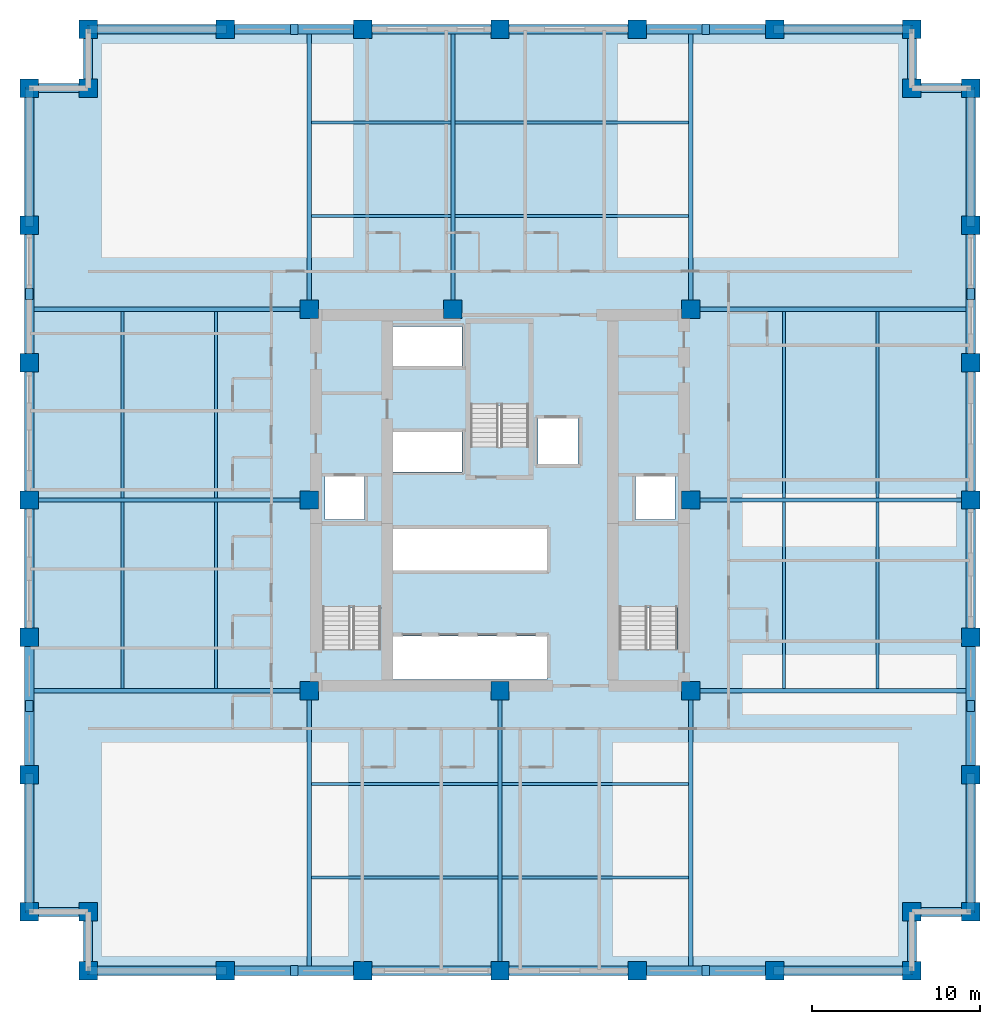
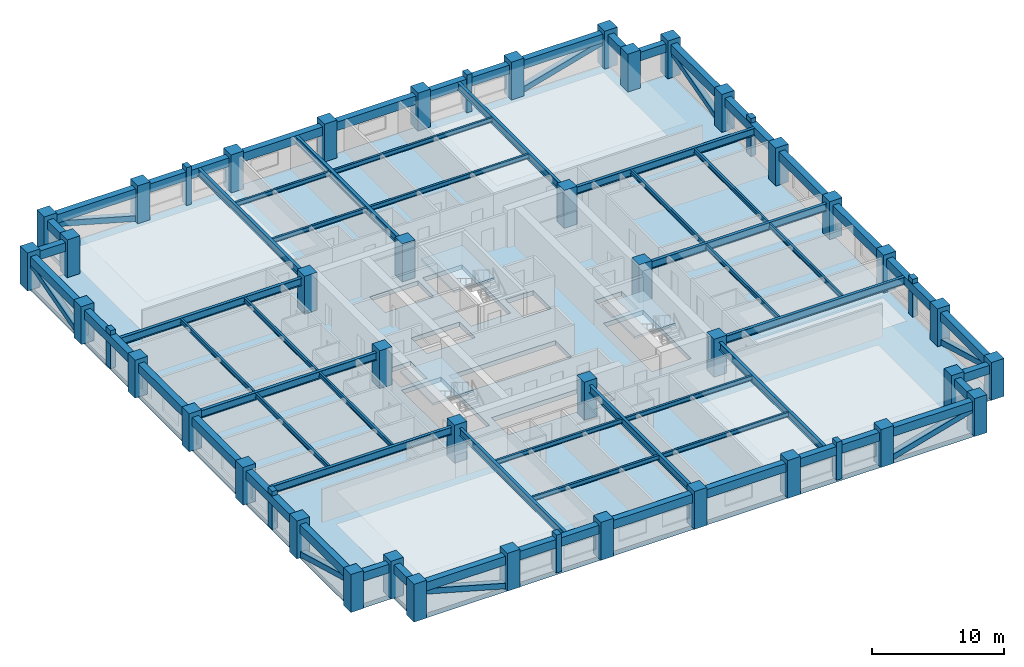
# One storey, part 1 of 12: 60 beams, 40 columns, 16 members, 4 slabs, 3 elements without a shape of their own.
"""IFC4 building model written with IfcOpenShell, lengths in metres."""

from ifc_helpers import new_model, si_unit, direction, frame, origin, origin_2d, place, context, subcontext, project, spatial, polyline, rectangle, hollow_rectangle, i_section, outline, extrude, material, layer, layer_set, material_profile, profile_set, type_object, element, aggregate, save


model = new_model("IFC4")

# Units and contexts
model_context = context("Model", 3, precision=1e-05, world=origin(), true_north=direction((0.0, 1.0)))
body_context = subcontext(model_context, "Body", "Model", "MODEL_VIEW")
ifc_project = project(units=[si_unit("LENGTHUNIT", "METRE"), si_unit("AREAUNIT", "SQUARE_METRE"), si_unit("VOLUMEUNIT", "CUBIC_METRE"), si_unit("PLANEANGLEUNIT", "RADIAN"), si_unit("MASSUNIT", "GRAM", prefix="KILO")], contexts=[model_context])

# Site, building, storey
site_placement = place(None, origin())
site = spatial("IfcSite", under=ifc_project, at=site_placement, CompositionType="ELEMENT")
building_placement = place(site_placement, origin())
building = spatial("IfcBuilding", under=site, at=building_placement, Name="Nhamokura Convention Tower", CompositionType="ELEMENT")
storey_placement = place(building_placement, frame((0.0, 0.0, 38.85009765625)))
storey = spatial("IfcBuildingStorey", under=building, at=storey_placement, Name="L07", CompositionType="ELEMENT", Elevation=38.85009765625)

# Columns
ifc_material_1 = material(Name="Concrete C60/75", Category="concrete")
ifc_material_profile_1 = material_profile(ifc_material_1, rectangle(XDim=1.10009765625, YDim=1.10009765625, at=origin_2d()))
ifc_profile_set_1 = profile_set([ifc_material_profile_1], Name="Concrete C60/75")
column_type = type_object("IfcColumnType", Name="TubeColumn_Z1_1100", PredefinedType="COLUMN", material=ifc_profile_set_1)
for number, where, z_axis, x_axis, name in (
    (1, (20.64990234375, 20.64990234375, 0.0), (0.0, 0.0, 1.0), (1.0, 0.0, 0.0), "L07 Core Column CC-SW"),
    (2, (32.0, 20.64990234375, 0.0), (0.0, 0.0, 1.0), (1.0, 0.0, 0.0), "L07 Core Column CC-S"),
    (3, (43.35009765625, 20.64990234375, 0.0), (0.0, 0.0, 1.0), (1.0, 0.0, 0.0), "L07 Core Column CC-SE"),
    (4, (43.35009765625, 32.0, 0.0), (0.0, 0.0, 1.0), (1.0, 0.0, 0.0), "L07 Core Column CC-E"),
    (5, (43.35009765625, 43.35009765625, 0.0), (0.0, 0.0, 1.0), (1.0, 0.0, 0.0), "L07 Core Column CC-NE"),
    (6, (29.199951171875, 43.35009765625, 0.0), (0.0, 0.0, 1.0), (1.0, 0.0, 0.0), "L07 Core Column CC-N"),
    (7, (20.64990234375, 43.35009765625, 0.0), (0.0, 0.0, 1.0), (1.0, 0.0, 0.0), "L07 Core Column CC-NW"),
    (8, (20.64990234375, 32.0, 0.0), (0.0, 0.0, 1.0), (1.0, 0.0, 0.0), "L07 Core Column CC-W"),
    (9, (7.5, 4.0, 0.0), (0.0, 0.0, 1.0), (1.0, 0.0, 0.0), "L07 Perimeter Tube Column SW1"),
    (10, (7.5, 7.5, 0.0), (0.0, 0.0, 1.0), (1.0, 0.0, 0.0), "L07 Perimeter Tube Column SW0"),
    (11, (4.0, 7.5, 0.0), (0.0, 0.0, 1.0), (1.0, 0.0, 0.0), "L07 Perimeter Tube Column SW2"),
    (12, (56.5, 4.0, 0.0), (0.0, 0.0, 1.0), (1.0, 0.0, 0.0), "L07 Perimeter Tube Column SE1"),
    (13, (56.5, 7.5, 0.0), (0.0, 0.0, 1.0), (1.0, 0.0, 0.0), "L07 Perimeter Tube Column SE0"),
    (14, (60.0, 7.5, 0.0), (0.0, 0.0, 1.0), (1.0, 0.0, 0.0), "L07 Perimeter Tube Column SE2"),
    (15, (60.0, 56.5, 0.0), (0.0, 0.0, 1.0), (1.0, 0.0, 0.0), "L07 Perimeter Tube Column NE1"),
    (16, (56.5, 56.5, 0.0), (0.0, 0.0, 1.0), (1.0, 0.0, 0.0), "L07 Perimeter Tube Column NE0"),
    (17, (56.5, 60.0, 0.0), (0.0, 0.0, 1.0), (1.0, 0.0, 0.0), "L07 Perimeter Tube Column NE2"),
    (18, (7.5, 60.0, 0.0), (0.0, 0.0, 1.0), (1.0, 0.0, 0.0), "L07 Perimeter Tube Column NW1"),
    (19, (7.5, 56.5, 0.0), (0.0, 0.0, 1.0), (1.0, 0.0, 0.0), "L07 Perimeter Tube Column NW0"),
    (20, (4.0, 56.5, 0.0), (0.0, 0.0, 1.0), (1.0, 0.0, 0.0), "L07 Perimeter Tube Column NW2"),
    (21, (15.666748046875, 4.0, 0.0), (0.0, 0.0, 1.0), (1.0, 0.0, 0.0), "L07 Perimeter Tube Column S1"),
    (22, (15.666748046875, 60.0, 0.0), (0.0, 0.0, 1.0), (1.0, 0.0, 0.0), "L07 Perimeter Tube Column N1"),
    (23, (4.0, 15.666748046875, 0.0), (0.0, 0.0, 1.0), (1.0, 0.0, 0.0), "L07 Perimeter Tube Column W1"),
    (24, (60.0, 15.666748046875, 0.0), (0.0, 0.0, 1.0), (1.0, 0.0, 0.0), "L07 Perimeter Tube Column E1"),
    (25, (23.833251953125, 4.0, 0.0), (0.0, 0.0, 1.0), (1.0, 0.0, 0.0), "L07 Perimeter Tube Column S2"),
    (26, (23.833251953125, 60.0, 0.0), (0.0, 0.0, 1.0), (1.0, 0.0, 0.0), "L07 Perimeter Tube Column N2"),
    (27, (4.0, 23.833251953125, 0.0), (0.0, 0.0, 1.0), (1.0, 0.0, 0.0), "L07 Perimeter Tube Column W2"),
    (28, (60.0, 23.833251953125, 0.0), (0.0, 0.0, 1.0), (1.0, 0.0, 0.0), "L07 Perimeter Tube Column E2"),
    (29, (32.0, 4.0, 0.0), (0.0, 0.0, 1.0), (1.0, 0.0, 0.0), "L07 Perimeter Tube Column S3"),
    (30, (32.0, 60.0, 0.0), (0.0, 0.0, 1.0), (1.0, 0.0, 0.0), "L07 Perimeter Tube Column N3"),
    (31, (4.0, 32.0, 0.0), (0.0, 0.0, 1.0), (1.0, 0.0, 0.0), "L07 Perimeter Tube Column W3"),
    (32, (60.0, 32.0, 0.0), (0.0, 0.0, 1.0), (1.0, 0.0, 0.0), "L07 Perimeter Tube Column E3"),
    (33, (40.166748046875, 4.0, 0.0), (0.0, 0.0, 1.0), (1.0, 0.0, 0.0), "L07 Perimeter Tube Column S4"),
    (34, (40.166748046875, 60.0, 0.0), (0.0, 0.0, 1.0), (1.0, 0.0, 0.0), "L07 Perimeter Tube Column N4"),
    (35, (4.0, 40.166748046875, 0.0), (0.0, 0.0, 1.0), (1.0, 0.0, 0.0), "L07 Perimeter Tube Column W4"),
    (36, (60.0, 40.166748046875, 0.0), (0.0, 0.0, 1.0), (1.0, 0.0, 0.0), "L07 Perimeter Tube Column E4"),
    (37, (48.333251953125, 4.0, 0.0), (0.0, 0.0, 1.0), (1.0, 0.0, 0.0), "L07 Perimeter Tube Column S5"),
    (38, (48.333251953125, 60.0, 0.0), (0.0, 0.0, 1.0), (1.0, 0.0, 0.0), "L07 Perimeter Tube Column N5"),
    (39, (4.0, 48.333251953125, 0.0), (0.0, 0.0, 1.0), (1.0, 0.0, 0.0), "L07 Perimeter Tube Column W5"),
    (40, (60.0, 48.333251953125, 0.0), (0.0, 0.0, 1.0), (1.0, 0.0, 0.0), "L07 Perimeter Tube Column E5"),
):
    element("IfcColumn", number, at=place(storey_placement, frame(where, z_axis=z_axis, x_axis=x_axis)), inside=storey, type_object=column_type, Name=name, PredefinedType="COLUMN", context=body_context, shape_type="SweptSolid", body=[
        extrude(rectangle(XDim=1.10009765625, YDim=1.10009765625, at=origin_2d()), origin(), (0.0, 0.0, 1.0), 3.5),
    ])

# Members
ifc_material_2 = material(Name="Bronze-pigmented precast concrete C45/55", Category="concrete")
ifc_material_profile_2 = material_profile(ifc_material_2, rectangle(XDim=0.449951171875, YDim=0.64990234375, at=origin_2d()))
ifc_profile_set_2 = profile_set([ifc_material_profile_2], Name="Bronze-pigmented precast concrete C45/55")
member_type_1 = type_object("IfcMemberType", Name="BronzePilaster_650", PredefinedType="USERDEFINED", material=ifc_profile_set_2)
for number, where, z_axis, x_axis, name in (
    (41, (19.75, 4.0, 0.0), (0.0, 0.0, 1.0), (1.0, 0.0, 0.0), "L07 Engaged Frame Pilaster SOUTH 1"),
    (42, (44.25, 4.0, 0.0), (0.0, 0.0, 1.0), (1.0, 0.0, 0.0), "L07 Engaged Frame Pilaster SOUTH 4"),
    (43, (19.75, 60.0, 0.0), (0.0, 0.0, 1.0), (1.0, 0.0, 0.0), "L07 Engaged Frame Pilaster NORTH 1"),
    (44, (44.25, 60.0, 0.0), (0.0, 0.0, 1.0), (1.0, 0.0, 0.0), "L07 Engaged Frame Pilaster NORTH 4"),
    (45, (4.0, 19.75, 0.0), (0.0, 0.0, 1.0), (1.0, 0.0, 0.0), "L07 Engaged Frame Pilaster WEST 1"),
    (46, (4.0, 44.25, 0.0), (0.0, 0.0, 1.0), (1.0, 0.0, 0.0), "L07 Engaged Frame Pilaster WEST 4"),
    (47, (60.0, 19.75, 0.0), (0.0, 0.0, 1.0), (1.0, 0.0, 0.0), "L07 Engaged Frame Pilaster EAST 1"),
    (48, (60.0, 44.25, 0.0), (0.0, 0.0, 1.0), (1.0, 0.0, 0.0), "L07 Engaged Frame Pilaster EAST 4"),
):
    element("IfcMember", number, at=place(storey_placement, frame(where, z_axis=z_axis, x_axis=x_axis)), inside=storey, type_object=member_type_1, Name=name, ObjectType="PILASTER_TRIM", PredefinedType="USERDEFINED", context=body_context, shape_type="SweptSolid", body=[
        extrude(rectangle(XDim=0.449951171875, YDim=0.64990234375, at=origin_2d()), origin(), (0.0, 0.0, 1.0), 3.5),
    ])

# Beams
ifc_material_3 = material(Name="Steel ASTM A992 Gr 50", Category="steel")
ifc_material_profile_3 = material_profile(ifc_material_3, i_section(OverallWidth=0.178955078125, OverallDepth=0.409912109375, WebThickness=0.0087890625, FlangeThickness=0.014404296875, at=origin_2d()))
ifc_profile_set_3 = profile_set([ifc_material_profile_3], Name="Steel ASTM A992 Gr 50")
beam_type_1 = type_object("IfcBeamType", Name="FloorJoist_W410X67", PredefinedType="JOIST", material=ifc_profile_set_3)
for number, where, z_axis, x_axis, name in (
    (49, (20.77587890625, 9.550048828125, 2.875), (1.0, 0.0, 0.0), (0.0, 1.0, 0.0), "L07 Composite Floor Joist S1A"),
    (50, (32.1259765625, 9.550048828125, 2.875), (1.0, 0.0, 0.0), (0.0, 1.0, 0.0), "L07 Composite Floor Joist S1B"),
    (51, (20.77587890625, 15.10009765625, 2.875), (1.0, 0.0, 0.0), (0.0, 1.0, 0.0), "L07 Composite Floor Joist S2A"),
    (52, (32.1259765625, 15.10009765625, 2.875), (1.0, 0.0, 0.0), (0.0, 1.0, 0.0), "L07 Composite Floor Joist S2B"),
):
    element("IfcBeam", number, at=place(storey_placement, frame(where, z_axis=z_axis, x_axis=x_axis)), inside=storey, type_object=beam_type_1, Name=name, PredefinedType="JOIST", context=body_context, shape_type="SweptSolid", body=[
        extrude(i_section(OverallWidth=0.178955078125, OverallDepth=0.409912109375, WebThickness=0.0087890625, FlangeThickness=0.014404296875, at=origin_2d()), origin(), (0.0, 0.0, 1.0), 11.09814453125),
    ])
beam_1_placement = place(storey_placement, frame((20.77587890625, 48.89990234375, 2.875), z_axis=(1.0, 0.0, 0.0), x_axis=(0.0, 1.0, 0.0)))
element("IfcBeam", 53, at=beam_1_placement, inside=storey, type_object=beam_type_1, Name="L07 Composite Floor Joist N1A", PredefinedType="JOIST", context=body_context, shape_type="SweptSolid", body=[
    extrude(i_section(OverallWidth=0.178955078125, OverallDepth=0.409912109375, WebThickness=0.0087890625, FlangeThickness=0.014404296875, at=origin_2d()), origin(), (0.0, 0.0, 1.0), 8.298095703125),
])
beam_2_placement = place(storey_placement, frame((29.325927734375, 48.89990234375, 2.875), z_axis=(1.0, 0.0, 0.0), x_axis=(0.0, 1.0, 0.0)))
element("IfcBeam", 54, at=beam_2_placement, inside=storey, type_object=beam_type_1, Name="L07 Composite Floor Joist N1B", PredefinedType="JOIST", context=body_context, shape_type="SweptSolid", body=[
    extrude(i_section(OverallWidth=0.178955078125, OverallDepth=0.409912109375, WebThickness=0.0087890625, FlangeThickness=0.014404296875, at=origin_2d()), origin(), (0.0, 0.0, 1.0), 13.898193359375),
])
beam_3_placement = place(storey_placement, frame((20.77587890625, 54.449951171875, 2.875), z_axis=(1.0, 0.0, 0.0), x_axis=(0.0, 1.0, 0.0)))
element("IfcBeam", 55, at=beam_3_placement, inside=storey, type_object=beam_type_1, Name="L07 Composite Floor Joist N2A", PredefinedType="JOIST", context=body_context, shape_type="SweptSolid", body=[
    extrude(i_section(OverallWidth=0.178955078125, OverallDepth=0.409912109375, WebThickness=0.0087890625, FlangeThickness=0.014404296875, at=origin_2d()), origin(), (0.0, 0.0, 1.0), 8.298095703125),
])
beam_4_placement = place(storey_placement, frame((29.325927734375, 54.449951171875, 2.875), z_axis=(1.0, 0.0, 0.0), x_axis=(0.0, 1.0, 0.0)))
element("IfcBeam", 56, at=beam_4_placement, inside=storey, type_object=beam_type_1, Name="L07 Composite Floor Joist N2B", PredefinedType="JOIST", context=body_context, shape_type="SweptSolid", body=[
    extrude(i_section(OverallWidth=0.178955078125, OverallDepth=0.409912109375, WebThickness=0.0087890625, FlangeThickness=0.014404296875, at=origin_2d()), origin(), (0.0, 0.0, 1.0), 13.898193359375),
])
for number, where, z_axis, x_axis, name in (
    (57, (9.550048828125, 20.77587890625, 2.875), (0.0, 1.0, 0.0), (-1.0, 0.0, 0.0), "L07 Composite Floor Joist W1A"),
    (58, (9.550048828125, 32.1259765625, 2.875), (0.0, 1.0, 0.0), (-1.0, 0.0, 0.0), "L07 Composite Floor Joist W1B"),
    (59, (15.10009765625, 20.77587890625, 2.875), (0.0, 1.0, 0.0), (-1.0, 0.0, 0.0), "L07 Composite Floor Joist W2A"),
    (60, (15.10009765625, 32.1259765625, 2.875), (0.0, 1.0, 0.0), (-1.0, 0.0, 0.0), "L07 Composite Floor Joist W2B"),
    (61, (48.89990234375, 20.77587890625, 2.875), (0.0, 1.0, 0.0), (-1.0, 0.0, 0.0), "L07 Composite Floor Joist E1A"),
    (62, (48.89990234375, 32.1259765625, 2.875), (0.0, 1.0, 0.0), (-1.0, 0.0, 0.0), "L07 Composite Floor Joist E1B"),
    (63, (54.449951171875, 20.77587890625, 2.875), (0.0, 1.0, 0.0), (-1.0, 0.0, 0.0), "L07 Composite Floor Joist E2A"),
    (64, (54.449951171875, 32.1259765625, 2.875), (0.0, 1.0, 0.0), (-1.0, 0.0, 0.0), "L07 Composite Floor Joist E2B"),
):
    element("IfcBeam", number, at=place(storey_placement, frame(where, z_axis=z_axis, x_axis=x_axis)), inside=storey, type_object=beam_type_1, Name=name, PredefinedType="JOIST", context=body_context, shape_type="SweptSolid", body=[
        extrude(i_section(OverallWidth=0.178955078125, OverallDepth=0.409912109375, WebThickness=0.0087890625, FlangeThickness=0.014404296875, at=origin_2d()), origin(), (0.0, 0.0, 1.0), 11.09814453125),
    ])
ifc_material_4 = material(Name="Steel ASTM A992 Gr 50", Category="steel")
ifc_material_profile_4 = material_profile(ifc_material_4, i_section(OverallWidth=0.256103515625, OverallDepth=0.693115234375, WebThickness=0.014404296875, FlangeThickness=0.023681640625, at=origin_2d()))
ifc_profile_set_4 = profile_set([ifc_material_profile_4], Name="Steel ASTM A992 Gr 50")
beam_type_2 = type_object("IfcBeamType", Name="PrimaryGirder_W690X170", PredefinedType="BEAM", material=ifc_profile_set_4)
for number, where, z_axis, x_axis, name in (
    (65, (20.64990234375, 4.0, 2.7333984375), (0.0, 1.0, 0.0), (-1.0, 0.0, 0.0), "L07 Primary Floor Girder PG-S1"),
    (66, (32.0, 4.0, 2.7333984375), (0.0, 1.0, 0.0), (-1.0, 0.0, 0.0), "L07 Primary Floor Girder PG-S2"),
    (67, (43.35009765625, 4.0, 2.7333984375), (0.0, 1.0, 0.0), (-1.0, 0.0, 0.0), "L07 Primary Floor Girder PG-S3"),
    (68, (20.64990234375, 43.35009765625, 2.7333984375), (0.0, 1.0, 0.0), (-1.0, 0.0, 0.0), "L07 Primary Floor Girder PG-N1"),
    (69, (29.199951171875, 43.35009765625, 2.7333984375), (0.0, 1.0, 0.0), (-1.0, 0.0, 0.0), "L07 Primary Floor Girder PG-N2"),
    (70, (43.35009765625, 43.35009765625, 2.7333984375), (0.0, 1.0, 0.0), (-1.0, 0.0, 0.0), "L07 Primary Floor Girder PG-N3"),
    (71, (4.0, 20.64990234375, 2.7333984375), (1.0, 0.0, 0.0), (0.0, 1.0, 0.0), "L07 Primary Floor Girder PG-W1"),
    (72, (4.0, 32.0, 2.7333984375), (1.0, 0.0, 0.0), (0.0, 1.0, 0.0), "L07 Primary Floor Girder PG-W2"),
    (73, (4.0, 43.35009765625, 2.7333984375), (1.0, 0.0, 0.0), (0.0, 1.0, 0.0), "L07 Primary Floor Girder PG-W3"),
    (74, (43.35009765625, 20.64990234375, 2.7333984375), (1.0, 0.0, 0.0), (0.0, 1.0, 0.0), "L07 Primary Floor Girder PG-E1"),
    (75, (43.35009765625, 32.0, 2.7333984375), (1.0, 0.0, 0.0), (0.0, 1.0, 0.0), "L07 Primary Floor Girder PG-E2"),
    (76, (43.35009765625, 43.35009765625, 2.7333984375), (1.0, 0.0, 0.0), (0.0, 1.0, 0.0), "L07 Primary Floor Girder PG-E3"),
):
    element("IfcBeam", number, at=place(storey_placement, frame(where, z_axis=z_axis, x_axis=x_axis)), inside=storey, type_object=beam_type_2, Name=name, PredefinedType="BEAM", context=body_context, shape_type="SweptSolid", body=[
        extrude(i_section(OverallWidth=0.256103515625, OverallDepth=0.693115234375, WebThickness=0.014404296875, FlangeThickness=0.023681640625, at=origin_2d()), origin(), (0.0, 0.0, 1.0), 16.64990234375),
    ])

# Members
ifc_material_5 = material(Name="Steel ASTM A572 Gr 50", Category="steel")
ifc_material_profile_5 = material_profile(ifc_material_5, hollow_rectangle(XDim=0.5, YDim=0.5, WallThickness=0.02490234375, at=origin_2d()))
ifc_profile_set_5 = profile_set([ifc_material_profile_5], Name="Steel ASTM A572 Gr 50")
member_type_2 = type_object("IfcMemberType", Name="TubeBrace_HSS500", PredefinedType="BRACE", material=ifc_profile_set_5)
for number, where, z_axis, x_axis, name in (
    (77, (15.666748046875, 4.0, 0.14990234375), (-0.963167690303, 0.0, 0.268901469605), (0.0, -1.0, 0.0), "L07 Perimeter Tube Brace SOUTH Bay 0"),
    (78, (48.333251953125, 4.0, 0.14990234375), (0.963167690303, 0.0, 0.268901469605), (0.0, 1.0, 0.0), "L07 Perimeter Tube Brace SOUTH Bay 5"),
    (79, (15.666748046875, 60.0, 0.14990234375), (-0.963167690303, 0.0, 0.268901469605), (0.0, -1.0, 0.0), "L07 Perimeter Tube Brace NORTH Bay 0"),
    (80, (48.333251953125, 60.0, 0.14990234375), (0.963167690303, 0.0, 0.268901469605), (0.0, 1.0, 0.0), "L07 Perimeter Tube Brace NORTH Bay 5"),
    (81, (4.0, 15.666748046875, 0.14990234375), (0.0, -0.963167690303, 0.268901469605), (1.0, 0.0, 0.0), "L07 Perimeter Tube Brace WEST Bay 0"),
    (82, (4.0, 48.333251953125, 0.14990234375), (0.0, 0.963167690303, 0.268901469605), (-1.0, 0.0, 0.0), "L07 Perimeter Tube Brace WEST Bay 5"),
    (83, (60.0, 15.666748046875, 0.14990234375), (0.0, -0.963167690303, 0.268901469605), (1.0, 0.0, 0.0), "L07 Perimeter Tube Brace EAST Bay 0"),
    (84, (60.0, 48.333251953125, 0.14990234375), (0.0, 0.963167690303, 0.268901469605), (-1.0, 0.0, 0.0), "L07 Perimeter Tube Brace EAST Bay 5"),
):
    element("IfcMember", number, at=place(storey_placement, frame(where, z_axis=z_axis, x_axis=x_axis)), inside=storey, type_object=member_type_2, Name=name, PredefinedType="BRACE", context=body_context, shape_type="SweptSolid", body=[
        extrude(hollow_rectangle(XDim=0.5, YDim=0.5, WallThickness=0.02490234375, at=origin_2d()), origin(), (0.0, 0.0, 1.0), 8.47900390625),
    ])

# Beams
ifc_material_6 = material(Name="Concrete C50/60", Category="concrete")
ifc_material_profile_6 = material_profile(ifc_material_6, rectangle(XDim=0.550048828125, YDim=0.800048828125, at=origin_2d()))
ifc_profile_set_6 = profile_set([ifc_material_profile_6], Name="Concrete C50/60")
beam_type_3 = type_object("IfcBeamType", Name="TubeSpandrel_800", PredefinedType="SPANDREL", material=ifc_profile_set_6)
beam_5_placement = place(storey_placement, frame((7.5, 4.0, 2.679931640625), z_axis=(1.0, 0.0, 0.0), x_axis=(0.0, 1.0, 0.0)))
element("IfcBeam", 85, at=beam_5_placement, inside=storey, type_object=beam_type_3, Name="L07 Perimeter Spandrel SOUTH 1", PredefinedType="SPANDREL", context=body_context, shape_type="SweptSolid", body=[
    extrude(rectangle(XDim=0.550048828125, YDim=0.800048828125, at=origin_2d()), origin(), (0.0, 0.0, 1.0), 8.166748046875),
])
beam_6_placement = place(storey_placement, frame((15.666748046875, 4.0, 2.679931640625), z_axis=(1.0, 0.0, 0.0), x_axis=(0.0, 1.0, 0.0)))
element("IfcBeam", 86, at=beam_6_placement, inside=storey, type_object=beam_type_3, Name="L07 Perimeter Spandrel SOUTH 2", PredefinedType="SPANDREL", context=body_context, shape_type="SweptSolid", body=[
    extrude(rectangle(XDim=0.550048828125, YDim=0.800048828125, at=origin_2d()), origin(), (0.0, 0.0, 1.0), 8.16650390625),
])
for number, where, z_axis, x_axis, name in (
    (87, (23.833251953125, 4.0, 2.679931640625), (1.0, 0.0, 0.0), (0.0, 1.0, 0.0), "L07 Perimeter Spandrel SOUTH 3"),
    (88, (32.0, 4.0, 2.679931640625), (1.0, 0.0, 0.0), (0.0, 1.0, 0.0), "L07 Perimeter Spandrel SOUTH 4"),
):
    element("IfcBeam", number, at=place(storey_placement, frame(where, z_axis=z_axis, x_axis=x_axis)), inside=storey, type_object=beam_type_3, Name=name, PredefinedType="SPANDREL", context=body_context, shape_type="SweptSolid", body=[
        extrude(rectangle(XDim=0.550048828125, YDim=0.800048828125, at=origin_2d()), origin(), (0.0, 0.0, 1.0), 8.166748046875),
    ])
beam_7_placement = place(storey_placement, frame((40.166748046875, 4.0, 2.679931640625), z_axis=(1.0, 0.0, 0.0), x_axis=(0.0, 1.0, 0.0)))
element("IfcBeam", 89, at=beam_7_placement, inside=storey, type_object=beam_type_3, Name="L07 Perimeter Spandrel SOUTH 5", PredefinedType="SPANDREL", context=body_context, shape_type="SweptSolid", body=[
    extrude(rectangle(XDim=0.550048828125, YDim=0.800048828125, at=origin_2d()), origin(), (0.0, 0.0, 1.0), 8.16650390625),
])
for number, where, z_axis, x_axis, name in (
    (90, (48.333251953125, 4.0, 2.679931640625), (1.0, 0.0, 0.0), (0.0, 1.0, 0.0), "L07 Perimeter Spandrel SOUTH 6"),
    (91, (7.5, 60.0, 2.679931640625), (1.0, 0.0, 0.0), (0.0, 1.0, 0.0), "L07 Perimeter Spandrel NORTH 1"),
):
    element("IfcBeam", number, at=place(storey_placement, frame(where, z_axis=z_axis, x_axis=x_axis)), inside=storey, type_object=beam_type_3, Name=name, PredefinedType="SPANDREL", context=body_context, shape_type="SweptSolid", body=[
        extrude(rectangle(XDim=0.550048828125, YDim=0.800048828125, at=origin_2d()), origin(), (0.0, 0.0, 1.0), 8.166748046875),
    ])
beam_8_placement = place(storey_placement, frame((15.666748046875, 60.0, 2.679931640625), z_axis=(1.0, 0.0, 0.0), x_axis=(0.0, 1.0, 0.0)))
element("IfcBeam", 92, at=beam_8_placement, inside=storey, type_object=beam_type_3, Name="L07 Perimeter Spandrel NORTH 2", PredefinedType="SPANDREL", context=body_context, shape_type="SweptSolid", body=[
    extrude(rectangle(XDim=0.550048828125, YDim=0.800048828125, at=origin_2d()), origin(), (0.0, 0.0, 1.0), 8.16650390625),
])
for number, where, z_axis, x_axis, name in (
    (93, (23.833251953125, 60.0, 2.679931640625), (1.0, 0.0, 0.0), (0.0, 1.0, 0.0), "L07 Perimeter Spandrel NORTH 3"),
    (94, (32.0, 60.0, 2.679931640625), (1.0, 0.0, 0.0), (0.0, 1.0, 0.0), "L07 Perimeter Spandrel NORTH 4"),
):
    element("IfcBeam", number, at=place(storey_placement, frame(where, z_axis=z_axis, x_axis=x_axis)), inside=storey, type_object=beam_type_3, Name=name, PredefinedType="SPANDREL", context=body_context, shape_type="SweptSolid", body=[
        extrude(rectangle(XDim=0.550048828125, YDim=0.800048828125, at=origin_2d()), origin(), (0.0, 0.0, 1.0), 8.166748046875),
    ])
beam_9_placement = place(storey_placement, frame((40.166748046875, 60.0, 2.679931640625), z_axis=(1.0, 0.0, 0.0), x_axis=(0.0, 1.0, 0.0)))
element("IfcBeam", 95, at=beam_9_placement, inside=storey, type_object=beam_type_3, Name="L07 Perimeter Spandrel NORTH 5", PredefinedType="SPANDREL", context=body_context, shape_type="SweptSolid", body=[
    extrude(rectangle(XDim=0.550048828125, YDim=0.800048828125, at=origin_2d()), origin(), (0.0, 0.0, 1.0), 8.16650390625),
])
for number, where, z_axis, x_axis, name in (
    (96, (48.333251953125, 60.0, 2.679931640625), (1.0, 0.0, 0.0), (0.0, 1.0, 0.0), "L07 Perimeter Spandrel NORTH 6"),
    (97, (4.0, 7.5, 2.679931640625), (0.0, 1.0, 0.0), (-1.0, 0.0, 0.0), "L07 Perimeter Spandrel WEST 1"),
):
    element("IfcBeam", number, at=place(storey_placement, frame(where, z_axis=z_axis, x_axis=x_axis)), inside=storey, type_object=beam_type_3, Name=name, PredefinedType="SPANDREL", context=body_context, shape_type="SweptSolid", body=[
        extrude(rectangle(XDim=0.550048828125, YDim=0.800048828125, at=origin_2d()), origin(), (0.0, 0.0, 1.0), 8.166748046875),
    ])
beam_10_placement = place(storey_placement, frame((4.0, 15.666748046875, 2.679931640625), z_axis=(0.0, 1.0, 0.0), x_axis=(-1.0, 0.0, 0.0)))
element("IfcBeam", 98, at=beam_10_placement, inside=storey, type_object=beam_type_3, Name="L07 Perimeter Spandrel WEST 2", PredefinedType="SPANDREL", context=body_context, shape_type="SweptSolid", body=[
    extrude(rectangle(XDim=0.550048828125, YDim=0.800048828125, at=origin_2d()), origin(), (0.0, 0.0, 1.0), 8.16650390625),
])
for number, where, z_axis, x_axis, name in (
    (99, (4.0, 23.833251953125, 2.679931640625), (0.0, 1.0, 0.0), (-1.0, 0.0, 0.0), "L07 Perimeter Spandrel WEST 3"),
    (100, (4.0, 32.0, 2.679931640625), (0.0, 1.0, 0.0), (-1.0, 0.0, 0.0), "L07 Perimeter Spandrel WEST 4"),
):
    element("IfcBeam", number, at=place(storey_placement, frame(where, z_axis=z_axis, x_axis=x_axis)), inside=storey, type_object=beam_type_3, Name=name, PredefinedType="SPANDREL", context=body_context, shape_type="SweptSolid", body=[
        extrude(rectangle(XDim=0.550048828125, YDim=0.800048828125, at=origin_2d()), origin(), (0.0, 0.0, 1.0), 8.166748046875),
    ])
beam_11_placement = place(storey_placement, frame((4.0, 40.166748046875, 2.679931640625), z_axis=(0.0, 1.0, 0.0), x_axis=(-1.0, 0.0, 0.0)))
element("IfcBeam", 101, at=beam_11_placement, inside=storey, type_object=beam_type_3, Name="L07 Perimeter Spandrel WEST 5", PredefinedType="SPANDREL", context=body_context, shape_type="SweptSolid", body=[
    extrude(rectangle(XDim=0.550048828125, YDim=0.800048828125, at=origin_2d()), origin(), (0.0, 0.0, 1.0), 8.16650390625),
])
for number, where, z_axis, x_axis, name in (
    (102, (4.0, 48.333251953125, 2.679931640625), (0.0, 1.0, 0.0), (-1.0, 0.0, 0.0), "L07 Perimeter Spandrel WEST 6"),
    (103, (60.0, 7.5, 2.679931640625), (0.0, 1.0, 0.0), (-1.0, 0.0, 0.0), "L07 Perimeter Spandrel EAST 1"),
):
    element("IfcBeam", number, at=place(storey_placement, frame(where, z_axis=z_axis, x_axis=x_axis)), inside=storey, type_object=beam_type_3, Name=name, PredefinedType="SPANDREL", context=body_context, shape_type="SweptSolid", body=[
        extrude(rectangle(XDim=0.550048828125, YDim=0.800048828125, at=origin_2d()), origin(), (0.0, 0.0, 1.0), 8.166748046875),
    ])
beam_12_placement = place(storey_placement, frame((60.0, 15.666748046875, 2.679931640625), z_axis=(0.0, 1.0, 0.0), x_axis=(-1.0, 0.0, 0.0)))
element("IfcBeam", 104, at=beam_12_placement, inside=storey, type_object=beam_type_3, Name="L07 Perimeter Spandrel EAST 2", PredefinedType="SPANDREL", context=body_context, shape_type="SweptSolid", body=[
    extrude(rectangle(XDim=0.550048828125, YDim=0.800048828125, at=origin_2d()), origin(), (0.0, 0.0, 1.0), 8.16650390625),
])
for number, where, z_axis, x_axis, name in (
    (105, (60.0, 23.833251953125, 2.679931640625), (0.0, 1.0, 0.0), (-1.0, 0.0, 0.0), "L07 Perimeter Spandrel EAST 3"),
    (106, (60.0, 32.0, 2.679931640625), (0.0, 1.0, 0.0), (-1.0, 0.0, 0.0), "L07 Perimeter Spandrel EAST 4"),
):
    element("IfcBeam", number, at=place(storey_placement, frame(where, z_axis=z_axis, x_axis=x_axis)), inside=storey, type_object=beam_type_3, Name=name, PredefinedType="SPANDREL", context=body_context, shape_type="SweptSolid", body=[
        extrude(rectangle(XDim=0.550048828125, YDim=0.800048828125, at=origin_2d()), origin(), (0.0, 0.0, 1.0), 8.166748046875),
    ])
beam_13_placement = place(storey_placement, frame((60.0, 40.166748046875, 2.679931640625), z_axis=(0.0, 1.0, 0.0), x_axis=(-1.0, 0.0, 0.0)))
element("IfcBeam", 107, at=beam_13_placement, inside=storey, type_object=beam_type_3, Name="L07 Perimeter Spandrel EAST 5", PredefinedType="SPANDREL", context=body_context, shape_type="SweptSolid", body=[
    extrude(rectangle(XDim=0.550048828125, YDim=0.800048828125, at=origin_2d()), origin(), (0.0, 0.0, 1.0), 8.16650390625),
])
beam_14_placement = place(storey_placement, frame((60.0, 48.333251953125, 2.679931640625), z_axis=(0.0, 1.0, 0.0), x_axis=(-1.0, 0.0, 0.0)))
element("IfcBeam", 108, at=beam_14_placement, inside=storey, type_object=beam_type_3, Name="L07 Perimeter Spandrel EAST 6", PredefinedType="SPANDREL", context=body_context, shape_type="SweptSolid", body=[
    extrude(rectangle(XDim=0.550048828125, YDim=0.800048828125, at=origin_2d()), origin(), (0.0, 0.0, 1.0), 8.166748046875),
])
for number, where, z_axis, x_axis, name in (
    (109, (7.5, 4.0, 2.679931640625), (0.0, 1.0, 0.0), (-1.0, 0.0, 0.0), "L07 Notch Spandrel SW1"),
    (110, (7.5, 7.5, 2.679931640625), (-1.0, 0.0, 0.0), (0.0, -1.0, 0.0), "L07 Notch Spandrel SW2"),
    (111, (56.5, 4.0, 2.679931640625), (0.0, 1.0, 0.0), (-1.0, 0.0, 0.0), "L07 Notch Spandrel SE1"),
    (112, (56.5, 7.5, 2.679931640625), (1.0, 0.0, 0.0), (0.0, 1.0, 0.0), "L07 Notch Spandrel SE2"),
    (113, (60.0, 56.5, 2.679931640625), (-1.0, 0.0, 0.0), (0.0, -1.0, 0.0), "L07 Notch Spandrel NE1"),
    (114, (56.5, 56.5, 2.679931640625), (0.0, 1.0, 0.0), (-1.0, 0.0, 0.0), "L07 Notch Spandrel NE2"),
    (115, (7.5, 60.0, 2.679931640625), (0.0, -1.0, 0.0), (1.0, 0.0, 0.0), "L07 Notch Spandrel NW1"),
    (116, (7.5, 56.5, 2.679931640625), (-1.0, 0.0, 0.0), (0.0, -1.0, 0.0), "L07 Notch Spandrel NW2"),
):
    element("IfcBeam", number, at=place(storey_placement, frame(where, z_axis=z_axis, x_axis=x_axis)), inside=storey, type_object=beam_type_3, Name=name, PredefinedType="SPANDREL", context=body_context, shape_type="SweptSolid", body=[
        extrude(rectangle(XDim=0.550048828125, YDim=0.800048828125, at=origin_2d()), origin(), (0.0, 0.0, 1.0), 3.5),
    ])

# Stair, slab
ifc_material_7 = material(Name="Concrete C40/50", Category="concrete")
stair_type = type_object("IfcStairType", Name="TowerCoreStair_1650", PredefinedType="HALF_TURN_STAIR", material=ifc_material_7)
stair_1_placement = place(storey_placement, origin())
stair_1 = element("IfcStair", 117, at=stair_1_placement, inside=storey, type_object=stair_type, Name="L07 West Core Smokeproof Stair ST-01", PredefinedType="HALF_TURN_STAIR")
ifc_material_8 = material(Name="Concrete C40/50", Category="concrete")
ifc_layer_1 = layer(ifc_material_8, 0.199951171875)
ifc_layer_set_1 = layer_set([ifc_layer_1], Name="StairLandingSlab_200")
slab_type_1 = type_object("IfcSlabType", Name="StairLandingSlab_200", PredefinedType="LANDING", material=ifc_layer_set_1)
slab_1_placement = place(storey_placement, frame((0.0, 0.0, 1.5498046875)))
slab_1 = element("IfcSlab", 118, at=slab_1_placement, type_object=slab_type_1, Name="ST-01 landing 1", PredefinedType="LANDING", context=body_context, shape_type="SweptSolid", body=[
    extrude(outline(polyline([(24.97998046875, 25.5849609375), (24.97998046875, 30.530029296875), (21.3701171875, 30.530029296875), (21.3701171875, 25.5849609375), (24.97998046875, 25.5849609375)])), origin(), (0.0, 0.0, 1.0), 0.2001953125),
])
aggregate(stair_1, [slab_1])

stair_2_placement = place(storey_placement, origin())
stair_2 = element("IfcStair", 119, at=stair_2_placement, inside=storey, type_object=stair_type, Name="L07 East Core Smokeproof Stair ST-02", PredefinedType="HALF_TURN_STAIR")
slab_2_placement = place(storey_placement, frame((0.0, 0.0, 1.5498046875)))
slab_2 = element("IfcSlab", 120, at=slab_2_placement, type_object=slab_type_1, Name="ST-02 landing 1", PredefinedType="LANDING", context=body_context, shape_type="SweptSolid", body=[
    extrude(outline(polyline([(42.6298828125, 25.5849609375), (42.6298828125, 30.530029296875), (39.02001953125, 30.530029296875), (39.02001953125, 25.5849609375), (42.6298828125, 25.5849609375)])), origin(), (0.0, 0.0, 1.0), 0.2001953125),
])
aggregate(stair_2, [slab_2])

stair_3_placement = place(storey_placement, origin())
stair_3 = element("IfcStair", 121, at=stair_3_placement, inside=storey, type_object=stair_type, Name="L07 North Core Smokeproof Stair ST-03", PredefinedType="HALF_TURN_STAIR")
slab_3_placement = place(storey_placement, frame((0.0, 0.0, 1.5498046875)))
slab_3 = element("IfcSlab", 122, at=slab_3_placement, type_object=slab_type_1, Name="ST-03 landing 1", PredefinedType="LANDING", context=body_context, shape_type="SweptSolid", body=[
    extrude(outline(polyline([(33.780029296875, 37.635009765625), (33.780029296875, 42.580078125), (30.169921875, 42.580078125), (30.169921875, 37.635009765625), (33.780029296875, 37.635009765625)])), origin(), (0.0, 0.0, 1.0), 0.2001953125),
])
aggregate(stair_3, [slab_3])

# Slab
ifc_material_9 = material(Name="Concrete C50/60", Category="concrete")
ifc_layer_2 = layer(ifc_material_9, 0.419921875)
ifc_layer_set_2 = layer_set([ifc_layer_2], Name="TransferDeckSlab_380")
slab_type_2 = type_object("IfcSlabType", Name="TransferDeckSlab_380", PredefinedType="FLOOR", material=ifc_layer_set_2)
slab_4_placement = place(storey_placement, frame((0.0, 0.0, -0.420166015625)))
element("IfcSlab", 123, at=slab_4_placement, inside=storey, type_object=slab_type_2, Name="L07 Structural Floor Slab", PredefinedType="FLOOR", context=body_context, shape_type="SweptSolid", body=[
    extrude(outline(polyline([(7.5, 4.0), (56.5, 4.0), (56.5, 7.5), (60.0, 7.5), (60.0, 56.5), (56.5, 56.5), (56.5, 60.0), (7.5, 60.0), (7.5, 56.5), (4.0, 56.5), (4.0, 7.5), (7.5, 7.5), (7.5, 4.0)]), holes=[polyline([(24.89990234375, 23.10009765625), (24.89990234375, 30.449951171875), (21.449951171875, 30.449951171875), (21.449951171875, 23.10009765625), (24.89990234375, 23.10009765625)]), polyline([(42.550048828125, 23.10009765625), (42.550048828125, 30.449951171875), (39.10009765625, 30.449951171875), (39.10009765625, 23.10009765625), (42.550048828125, 23.10009765625)]), polyline([(33.699951171875, 35.14990234375), (33.699951171875, 42.5), (30.25, 42.5), (30.25, 35.14990234375), (33.699951171875, 35.14990234375)]), polyline([(21.60009765625, 30.85009765625), (23.949951171875, 30.85009765625), (23.949951171875, 33.39990234375), (21.60009765625, 33.39990234375), (21.60009765625, 30.85009765625)]), polyline([(40.050048828125, 30.85009765625), (42.39990234375, 30.85009765625), (42.39990234375, 33.39990234375), (40.050048828125, 33.39990234375), (40.050048828125, 30.85009765625)]), polyline([(34.25, 34.14990234375), (36.64990234375, 34.14990234375), (36.64990234375, 36.85009765625), (34.25, 36.85009765625), (34.25, 34.14990234375)]), polyline([(25.52001953125, 21.320068359375), (34.800048828125, 21.320068359375), (34.800048828125, 23.89990234375), (25.52001953125, 23.89990234375), (25.52001953125, 21.320068359375)]), polyline([(25.52001953125, 27.800048828125), (34.800048828125, 27.800048828125), (34.800048828125, 30.300048828125), (25.52001953125, 30.300048828125), (25.52001953125, 27.800048828125)]), polyline([(25.52001953125, 33.679931640625), (29.75, 33.679931640625), (29.75, 36.050048828125), (25.52001953125, 36.050048828125), (25.52001953125, 33.679931640625)]), polyline([(25.52001953125, 39.949951171875), (29.75, 39.949951171875), (29.75, 42.320068359375), (25.52001953125, 42.320068359375), (25.52001953125, 39.949951171875)])]), origin(), (0.0, 0.0, 1.0), 0.420166015625),
])

save(model, "model.ifc")
